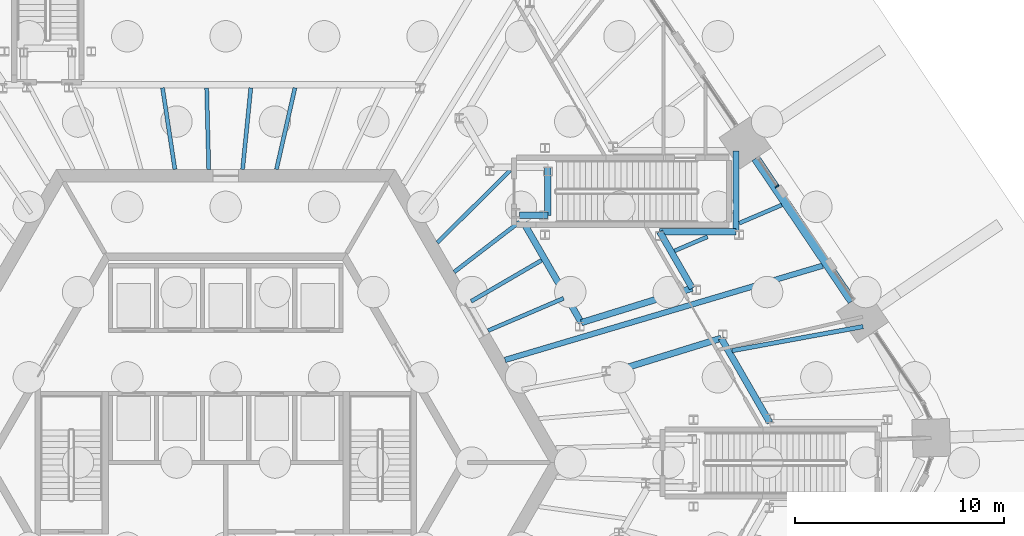
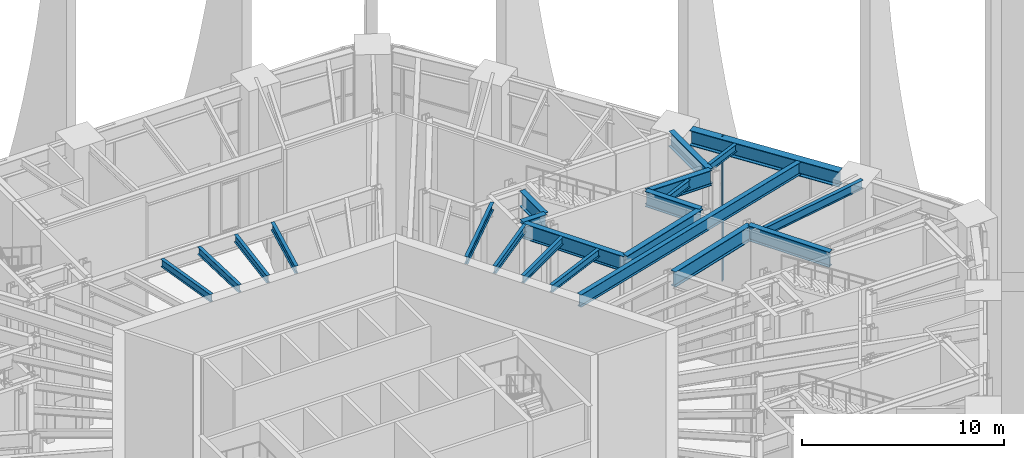
# One storey, part 12 of 43: 22 beams, 1 member, 1 element without a shape of its own.
"""IFC4 building model written with IfcOpenShell, lengths in metres."""

import ifcopenshell
import ifcopenshell.guid

model = None  # the IFC model being written
_history = None  # IfcOwnerHistory: only IFC2X3 demands one
_inside = {}  # id of a spatial element -> (the spatial element, [elements in it])
_under = {}  # id of a project, library or spatial element -> (it, [spatial elements below it])
_declared = {}  # id of a project -> (the project, [libraries it declares])
_typed = {}  # id of a type object -> (the type object, [elements of that type])
_made_of = {}  # id of a material, layer set ... -> (it, [elements and type objects made of it])


def new_model(schema):
    """Start an empty IFC model of exactly this schema.

    Asked for "IFC4X3", IfcOpenShell would pick the latest addendum, in which some entities
    have other attributes; the version numbers below select the first issue.
    IFC2X3 requires an IfcOwnerHistory on every rooted entity: one is made here for all.
    """
    global model, _history
    if schema == "IFC4X3":
        model = ifcopenshell.file(schema_version=(4, 3, 0, 0))
    else:
        model = ifcopenshell.file(schema=schema)
    _inside.clear()
    _under.clear()
    _declared.clear()
    _typed.clear()
    _made_of.clear()
    _history = None
    if model.schema == "IFC2X3":
        org = make("IfcOrganization", Name="unknown")
        user = make(
            "IfcPersonAndOrganization",
            ThePerson=make("IfcPerson", FamilyName="unknown"),
            TheOrganization=org,
        )
        app = make(
            "IfcApplication",
            ApplicationDeveloper=org,
            Version="unknown",
            ApplicationFullName="unknown",
            ApplicationIdentifier="unknown",
        )
        _history = make(
            "IfcOwnerHistory",
            OwningUser=user,
            OwningApplication=app,
            ChangeAction="ADDED",
            CreationDate=0,
        )
    return model


def make(cls, **values):
    """One entity of the class cls with the attributes given. An attribute that is None is left unset."""
    return model.create_entity(
        cls, **{name: value for name, value in values.items() if value is not None}
    )


def rooted(cls, **values):
    """An entity with a GlobalId (a new one), such as an element, a storey or a relation."""
    return make(cls, GlobalId=ifcopenshell.guid.new(), OwnerHistory=_history, **values)


def si_unit(unit_type, name, prefix=None):
    """IfcSIUnit, for example si_unit("LENGTHUNIT", "METRE", prefix="MILLI")."""
    return make("IfcSIUnit", UnitType=unit_type, Prefix=prefix, Name=name)


def assignment(units):
    """IfcUnitAssignment: the units of a project."""
    return None if units is None else make("IfcUnitAssignment", Units=units)


def point(xyz):
    """IfcCartesianPoint."""
    return None if xyz is None else make("IfcCartesianPoint", Coordinates=xyz)


def direction(xyz):
    """IfcDirection."""
    return None if xyz is None else make("IfcDirection", DirectionRatios=xyz)


def frame(location, z_axis=None, x_axis=None):
    """IfcAxis2Placement3D, a coordinate frame: its origin and axes. An axis left out is left unset."""
    return make(
        "IfcAxis2Placement3D",
        Location=point(location),
        Axis=direction(z_axis),
        RefDirection=direction(x_axis),
    )


def frame_2d(location, x_axis=None):
    """IfcAxis2Placement2D, a coordinate frame in the plane: its origin and x axis."""
    return make(
        "IfcAxis2Placement2D", Location=point(location), RefDirection=direction(x_axis)
    )


def origin():
    """The frame at (0, 0, 0) with its axes left unset."""
    return frame((0.0, 0.0, 0.0))


def origin_2d():
    """The frame at (0, 0) in the plane with its x axis left unset."""
    return frame_2d((0.0, 0.0))


def place(relative_to, where):
    """IfcLocalPlacement: puts the frame where relative to a parent placement (None: the world)."""
    return make(
        "IfcLocalPlacement", PlacementRelTo=relative_to, RelativePlacement=where
    )


def context(
    kind, dimensions, precision=None, world=None, true_north=None, identifier=None
):
    """IfcGeometricRepresentationContext, for example the 3D "Model" context."""
    return make(
        "IfcGeometricRepresentationContext",
        ContextIdentifier=identifier,
        ContextType=kind,
        CoordinateSpaceDimension=dimensions,
        Precision=precision,
        WorldCoordinateSystem=world,
        TrueNorth=true_north,
    )


def subcontext(parent, identifier, kind, view, scale=None):
    """IfcGeometricRepresentationSubContext, for example "Body" below "Model"."""
    return make(
        "IfcGeometricRepresentationSubContext",
        ContextIdentifier=identifier,
        ContextType=kind,
        ParentContext=parent,
        TargetScale=scale,
        TargetView=view,
    )


def project(units=None, contexts=None):
    """IfcProject with its units and contexts."""
    return rooted(
        "IfcProject",
        Name="project",
        RepresentationContexts=contexts,
        UnitsInContext=assignment(units),
    )


def spatial(cls, under=None, at=None, **own):
    """A site, building, storey or space (cls), placed at a placement, below another one or the project."""
    s = rooted(cls, ObjectPlacement=at, **own)
    if under is not None:
        _under.setdefault(under.id(), (under, []))[1].append(s)
    return s


def profile(cls, at=None, kind="AREA", **sizes):
    """A parametric profile (cls). Its sizes go by their IFC names, for example OverallWidth=200.0."""
    return make(cls, ProfileType=kind, Position=at, **sizes)


def rectangle(**sizes):
    """IfcRectangleProfileDef."""
    return profile("IfcRectangleProfileDef", **sizes)


def i_section(**sizes):
    """IfcIShapeProfileDef."""
    return profile("IfcIShapeProfileDef", **sizes)


def extrude(swept, where, along, depth):
    """IfcExtrudedAreaSolid: the profile swept, set in the frame where, extruded along a direction by depth."""
    return make(
        "IfcExtrudedAreaSolid",
        SweptArea=swept,
        Position=where,
        ExtrudedDirection=direction(along),
        Depth=depth,
    )


def shape(context_of_items, identifier, shape_type, items):
    """IfcShapeRepresentation: the items that make up one representation, for example the "Body"."""
    return make(
        "IfcShapeRepresentation",
        ContextOfItems=context_of_items,
        RepresentationIdentifier=identifier,
        RepresentationType=shape_type,
        Items=items,
    )


def material(Name=None, Category=None):
    """IfcMaterial."""
    return make("IfcMaterial", Name=Name, Category=Category)


def material_profile(
    of_material, cross_section, Name=None, Category=None, Priority=None
):
    """IfcMaterialProfile: a cross section and its material."""
    return make(
        "IfcMaterialProfile",
        Name=Name,
        Material=of_material,
        Profile=cross_section,
        Priority=Priority,
        Category=Category,
    )


def profile_set(profiles, Name=None, composite=None):
    """IfcMaterialProfileSet."""
    return make(
        "IfcMaterialProfileSet",
        Name=Name,
        MaterialProfiles=profiles,
        CompositeProfile=composite,
    )


def made_of(thing, what):
    """Note that an element or type object is made of a material, layer set ...; save() writes the relation."""
    if what is not None:
        _made_of.setdefault(what.id(), (what, []))[1].append(thing)
    return thing


def type_object(cls, material=None, **own):
    """A type object (cls), such as IfcWallType, which elements share."""
    return made_of(rooted(cls, **own), material)


def element(
    cls,
    number,
    at=None,
    inside=None,
    cuts=None,
    type_object=None,
    material=None,
    context=None,
    identifier="Body",
    shape_type=None,
    held_by="IfcProductDefinitionShape",
    body=None,
    shapes=None,
    **own,
):
    """One element of the class cls, such as IfcWall. Its Tag is "e" and its number.

    at: its placement. inside: the storey or other place that contains it. cuts: it is an
    opening in that element (IfcRelVoidsElement). A single representation is given by context,
    identifier, shape_type and body (its items); several are given by shapes. held_by: the class
    of the entity that holds the representations. save() writes the other relations.
    """
    e = rooted(cls, Tag="e%d" % number, ObjectPlacement=at, **own)
    if body is not None:
        shapes = [shape(context, identifier, shape_type, body)]
    if shapes is not None:
        e.Representation = make(held_by, Representations=shapes)
    if inside is not None:
        _inside.setdefault(inside.id(), (inside, []))[1].append(e)
    if cuts is not None:
        rooted(
            "IfcRelVoidsElement", RelatingBuildingElement=cuts, RelatedOpeningElement=e
        )
    if type_object is not None:
        _typed.setdefault(type_object.id(), (type_object, []))[1].append(e)
    return made_of(e, material)


def aggregate(whole, parts):
    """IfcRelAggregates: a whole, such as a stair, and the parts it consists of."""
    return rooted("IfcRelAggregates", RelatingObject=whole, RelatedObjects=parts)


def save(model, path):
    """Write the relations noted so far, then the file.

    IfcRelAggregates (storeys below a building ...), IfcRelContainedInSpatialStructure (elements
    in a storey), IfcRelDefinesByType, IfcRelAssociatesMaterial and IfcRelDeclares: one each for
    every whole, place, type object, material and project.
    """
    for whole, parts in _under.values():
        aggregate(whole, parts)
    for where, things in _inside.values():
        rooted(
            "IfcRelContainedInSpatialStructure",
            RelatedElements=things,
            RelatingStructure=where,
        )
    for kind, things in _typed.values():
        rooted("IfcRelDefinesByType", RelatedObjects=things, RelatingType=kind)
    for what, things in _made_of.values():
        rooted("IfcRelAssociatesMaterial", RelatedObjects=things, RelatingMaterial=what)
    for by, libraries in _declared.values():
        rooted("IfcRelDeclares", RelatingContext=by, RelatedDefinitions=libraries)
    model.write(path)


model = new_model("IFC4")

# Units and contexts
model_context = context("Model", 3, precision=1e-05, world=origin(), true_north=direction((0.0, 1.0)))
body_context = subcontext(model_context, "Body", "Model", "MODEL_VIEW")
ifc_project = project(units=[si_unit("LENGTHUNIT", "METRE"), si_unit("AREAUNIT", "SQUARE_METRE"), si_unit("VOLUMEUNIT", "CUBIC_METRE"), si_unit("PLANEANGLEUNIT", "RADIAN"), si_unit("MASSUNIT", "GRAM", prefix="KILO")], contexts=[model_context])

# Site, building, storey
site_placement = place(None, origin())
site = spatial("IfcSite", under=ifc_project, at=site_placement, CompositionType="ELEMENT")
building_placement = place(site_placement, origin())
building = spatial("IfcBuilding", under=site, at=building_placement, Name="Tarnside Tower", CompositionType="ELEMENT")
storey_placement = place(building_placement, origin())
storey = spatial("IfcBuildingStorey", under=building, at=storey_placement, Name="L00", CompositionType="ELEMENT", Elevation=0.0)

# Beams
ifc_material_1 = material(Name="Steel S355", Category="steel")
ifc_material_profile_1 = material_profile(ifc_material_1, i_section(OverallWidth=0.18994140625, OverallDepth=0.453369140625, WebThickness=0.008544921875, FlangeThickness=0.0126953125, FilletRadius=0.01025390625, at=origin_2d()), Name="UB 457x191x67")
ifc_profile_set_1 = profile_set([ifc_material_profile_1], Name="Steel S355")
beam_type_1 = type_object("IfcBeamType", Name="Floor beam UB 457x191x67", PredefinedType="BEAM", material=ifc_profile_set_1)
beam_1_placement = place(storey_placement, frame((3.30712890625, 17.892333984375, 8.523193359375), z_axis=(-0.221073770113, -0.975257088243, 0.0), x_axis=(0.975257088243, -0.221073770113, 0.0)))
element("IfcBeam", 1, at=beam_1_placement, inside=storey, type_object=beam_type_1, Name="Floor beam F1.03b", PredefinedType="BEAM", context=body_context, shape_type="SweptSolid", body=[
    extrude(i_section(OverallWidth=0.18994140625, OverallDepth=0.453369140625, WebThickness=0.008544921875, FlangeThickness=0.0126953125, FilletRadius=0.01025390625, at=origin_2d()), origin(), (0.0, 0.0, 1.0), 3.990966796875),
])
beam_2_placement = place(storey_placement, frame((1.199462890625, 17.892333984375, 8.523193359375), z_axis=(-0.099979500376, -0.994989497183, 0.0), x_axis=(0.994989497183, -0.099979500376, 0.0)))
element("IfcBeam", 2, at=beam_2_placement, inside=storey, type_object=beam_type_1, Name="Floor beam F1.04b", PredefinedType="BEAM", context=body_context, shape_type="SweptSolid", body=[
    extrude(i_section(OverallWidth=0.18994140625, OverallDepth=0.453369140625, WebThickness=0.008544921875, FlangeThickness=0.0126953125, FilletRadius=0.01025390625, at=origin_2d()), origin(), (0.0, 0.0, 1.0), 3.911865234375),
])
beam_3_placement = place(storey_placement, frame((-0.907958984375, 17.892333984375, 8.523193359375), z_axis=(0.025582792722, -0.999672706798, 0.0), x_axis=(0.999672706798, 0.025582792722, 0.0)))
element("IfcBeam", 3, at=beam_3_placement, inside=storey, type_object=beam_type_1, Name="Floor beam F1.05b", PredefinedType="BEAM", context=body_context, shape_type="SweptSolid", body=[
    extrude(i_section(OverallWidth=0.18994140625, OverallDepth=0.453369140625, WebThickness=0.008544921875, FlangeThickness=0.0126953125, FilletRadius=0.01025390625, at=origin_2d()), origin(), (0.0, 0.0, 1.0), 3.8935546875),
])
beam_4_placement = place(storey_placement, frame((-3.015380859375, 17.892333984375, 8.523193359375), z_axis=(0.15001112359, -0.988684308968, 0.0), x_axis=(0.988684308968, 0.15001112359, 0.0)))
element("IfcBeam", 4, at=beam_4_placement, inside=storey, type_object=beam_type_1, Name="Floor beam F1.06b", PredefinedType="BEAM", context=body_context, shape_type="SweptSolid", body=[
    extrude(i_section(OverallWidth=0.18994140625, OverallDepth=0.453369140625, WebThickness=0.008544921875, FlangeThickness=0.0126953125, FilletRadius=0.01025390625, at=origin_2d()), origin(), (0.0, 0.0, 1.0), 3.936767578125),
])
beam_5_placement = place(storey_placement, frame((26.551513671875, 12.298828125, 8.523193359375), z_axis=(-0.919441609872, -0.393226558153, 0.0), x_axis=(0.393226558153, -0.919441609872, 0.0)))
element("IfcBeam", 5, at=beam_5_placement, inside=storey, type_object=beam_type_1, Name="Floor beam F6.04a", PredefinedType="BEAM", context=body_context, shape_type="SweptSolid", body=[
    extrude(i_section(OverallWidth=0.18994140625, OverallDepth=0.453369140625, WebThickness=0.008544921875, FlangeThickness=0.0126953125, FilletRadius=0.01025390625, at=origin_2d()), origin(), (0.0, 0.0, 1.0), 2.212158203125),
])
beam_6_placement = place(storey_placement, frame((23.002685546875, 10.78076171875, 8.523193359375), z_axis=(-0.919402446138, -0.393318118113, 0.0), x_axis=(0.393318118113, -0.919402446138, 0.0)))
element("IfcBeam", 6, at=beam_6_placement, inside=storey, type_object=beam_type_1, Name="Floor beam F6.04b", PredefinedType="BEAM", context=body_context, shape_type="SweptSolid", body=[
    extrude(i_section(OverallWidth=0.18994140625, OverallDepth=0.453369140625, WebThickness=0.008544921875, FlangeThickness=0.0126953125, FilletRadius=0.01025390625, at=origin_2d()), origin(), (0.0, 0.0, 1.0), 1.715576171875),
])
beam_7_placement = place(storey_placement, frame((16.1328125, 7.841796875, 8.523193359375), z_axis=(-0.919415401897, -0.393287831943, 0.0), x_axis=(0.393287831943, -0.919415401897, 0.0)))
element("IfcBeam", 7, at=beam_7_placement, inside=storey, type_object=beam_type_1, Name="Floor beam F6.04c", PredefinedType="BEAM", context=body_context, shape_type="SweptSolid", body=[
    extrude(i_section(OverallWidth=0.18994140625, OverallDepth=0.453369140625, WebThickness=0.008544921875, FlangeThickness=0.0126953125, FilletRadius=0.01025390625, at=origin_2d()), origin(), (0.0, 0.0, 1.0), 3.920166015625),
])
beam_8_placement = place(storey_placement, frame((15.083984375, 9.658447265625, 8.523193359375), z_axis=(-0.86419264376, -0.503161082032, 0.0), x_axis=(0.503161082032, -0.86419264376, 0.0)))
element("IfcBeam", 8, at=beam_8_placement, inside=storey, type_object=beam_type_1, Name="Floor beam F6.05", PredefinedType="BEAM", context=body_context, shape_type="SweptSolid", body=[
    extrude(i_section(OverallWidth=0.18994140625, OverallDepth=0.453369140625, WebThickness=0.008544921875, FlangeThickness=0.0126953125, FilletRadius=0.01025390625, at=origin_2d()), origin(), (0.0, 0.0, 1.0), 3.892333984375),
])
beam_9_placement = place(storey_placement, frame((14.02734375, 11.48828125, 8.523193359375), z_axis=(-0.793649402853, -0.608375398378, 0.0), x_axis=(0.608375398378, -0.793649402853, 0.0)))
element("IfcBeam", 9, at=beam_9_placement, inside=storey, type_object=beam_type_1, Name="Floor beam F6.06b", PredefinedType="BEAM", context=body_context, shape_type="SweptSolid", body=[
    extrude(i_section(OverallWidth=0.18994140625, OverallDepth=0.453369140625, WebThickness=0.008544921875, FlangeThickness=0.0126953125, FilletRadius=0.01025390625, at=origin_2d()), origin(), (0.0, 0.0, 1.0), 3.925537109375),
])
beam_10_placement = place(storey_placement, frame((13.578125, 13.9423828125, 8.523193359375), z_axis=(-0.710393511829, -0.703804701854, 0.0), x_axis=(0.703804701854, -0.710393511829, 0.0)))
element("IfcBeam", 10, at=beam_10_placement, inside=storey, type_object=beam_type_1, Name="Floor beam F6.07b", PredefinedType="BEAM", context=body_context, shape_type="SweptSolid", body=[
    extrude(i_section(OverallWidth=0.18994140625, OverallDepth=0.453369140625, WebThickness=0.008544921875, FlangeThickness=0.0126953125, FilletRadius=0.01025390625, at=origin_2d()), origin(), (0.0, 0.0, 1.0), 4.89111328125),
])
ifc_material_profile_2 = material_profile(ifc_material_1, i_section(OverallWidth=0.209228515625, OverallDepth=0.533203125, WebThickness=0.010009765625, FlangeThickness=0.015625, FilletRadius=0.0126953125, at=origin_2d()), Name="UB 533x210x92")
ifc_profile_set_2 = profile_set([ifc_material_profile_2], Name="Steel S355")
beam_type_2 = type_object("IfcBeamType", Name="Floor beam UB 533x210x92", PredefinedType="BEAM", material=ifc_profile_set_2)
beam_11_placement = place(storey_placement, frame((30.42919921875, 6.493408203125, 8.4833984375), z_axis=(-0.983515410714, -0.180824326039, 0.0), x_axis=(0.180824326039, -0.983515410714, 0.0)))
element("IfcBeam", 11, at=beam_11_placement, inside=storey, type_object=beam_type_2, Name="Floor beam F6.02a", PredefinedType="BEAM", context=body_context, shape_type="SweptSolid", body=[
    extrude(i_section(OverallWidth=0.209228515625, OverallDepth=0.533203125, WebThickness=0.010009765625, FlangeThickness=0.015625, FilletRadius=0.0126953125, at=origin_2d()), origin(), (0.0, 0.0, 1.0), 6.359130859375),
])
ifc_material_profile_3 = material_profile(ifc_material_1, i_section(OverallWidth=0.26513671875, OverallDepth=0.75390625, WebThickness=0.0126953125, FlangeThickness=0.017578125, FilletRadius=0.0166015625, at=origin_2d()), Name="UB 762x267x147")
ifc_profile_set_3 = profile_set([ifc_material_profile_3], Name="Steel S355")
beam_type_3 = type_object("IfcBeamType", Name="Floor beam UB 762x267x147", PredefinedType="BEAM", material=ifc_profile_set_3)
beam_12_placement = place(storey_placement, frame((28.507080078125, 9.39990234375, 8.373046875), z_axis=(-0.958709656164, -0.284386700073, 0.0), x_axis=(0.284386700073, -0.958709656164, 0.0)))
element("IfcBeam", 12, at=beam_12_placement, inside=storey, type_object=beam_type_3, Name="Floor beam F6.03", PredefinedType="BEAM", context=body_context, shape_type="SweptSolid", body=[
    extrude(i_section(OverallWidth=0.26513671875, OverallDepth=0.75390625, WebThickness=0.0126953125, FlangeThickness=0.017578125, FilletRadius=0.0166015625, at=origin_2d()), origin(), (0.0, 0.0, 1.0), 15.823486328125),
])

# Curtain wall, member
ifc_material_2 = material(Name="Lobby entrance glazing wall", Category="glass")
curtain_wall_type = type_object("IfcCurtainWallType", Name="Lobby entrance glazing wall", PredefinedType="NOTDEFINED", material=ifc_material_2)
curtain_wall_placement = place(storey_placement, origin())
curtain_wall = element("IfcCurtainWall", 13, at=curtain_wall_placement, inside=storey, type_object=curtain_wall_type, Name="Side light 20b", PredefinedType="NOTDEFINED")
ifc_material_3 = material(Name="Aluminium alloy 6063", Category="aluminium")
ifc_material_profile_4 = material_profile(ifc_material_3, rectangle(XDim=0.179931640625, YDim=0.070068359375, at=origin_2d()), Name="Lobby entrance glazing mullion 70 x 180")
ifc_profile_set_4 = profile_set([ifc_material_profile_4], Name="Aluminium alloy 6063")
member_type = type_object("IfcMemberType", Name="Lobby entrance glazing mullion 70 x 180", PredefinedType="MULLION", material=ifc_profile_set_4)
member_placement = place(storey_placement, frame((26.326171875, 13.18798828125, 0.0), z_axis=(0.0, 0.0, 1.0), x_axis=(-0.829037572594, -0.559192903413, 0.0)))
member = element("IfcMember", 14, at=member_placement, type_object=member_type, Name="CW3 mullion 1", PredefinedType="MULLION", context=body_context, shape_type="SweptSolid", body=[
    extrude(rectangle(XDim=0.179931640625, YDim=0.070068359375, at=origin_2d()), origin(), (0.0, 0.0, 1.0), 8.75),
])
aggregate(curtain_wall, [member])

# Beams
ifc_material_profile_5 = material_profile(ifc_material_1, i_section(OverallWidth=0.3076171875, OverallDepth=0.926513671875, WebThickness=0.01953125, FlangeThickness=0.031982421875, FilletRadius=0.01904296875, at=origin_2d()), Name="UB 914x305x289")
ifc_profile_set_5 = profile_set([ifc_material_profile_5], Name="Steel S355")
beam_type_4 = type_object("IfcBeamType", Name="Perimeter girder UB 914x305x289", PredefinedType="BEAM", material=ifc_profile_set_5)
beam_13_placement = place(storey_placement, frame((18.360107421875, 4.29150390625, 8.28662109375), z_axis=(0.955027594741, 0.296516935912, 0.0), x_axis=(-0.296516935912, 0.955027594741, 0.0)))
element("IfcBeam", 15, at=beam_13_placement, inside=storey, type_object=beam_type_4, Name="Perimeter girder T3", PredefinedType="BEAM", context=body_context, shape_type="SweptSolid", body=[
    extrude(i_section(OverallWidth=0.3076171875, OverallDepth=0.926513671875, WebThickness=0.01953125, FlangeThickness=0.031982421875, FilletRadius=0.01904296875, at=origin_2d()), origin(), (0.0, 0.0, 1.0), 5.54443359375),
])
beam_14_placement = place(storey_placement, frame((23.6552734375, 5.935546875, 8.28662109375), z_axis=(0.499985748238, -0.866033631887, 0.0), x_axis=(0.866033631887, 0.499985748238, 0.0)))
element("IfcBeam", 16, at=beam_14_placement, inside=storey, type_object=beam_type_4, Name="Perimeter girder T4", PredefinedType="BEAM", context=body_context, shape_type="SweptSolid", body=[
    extrude(i_section(OverallWidth=0.3076171875, OverallDepth=0.926513671875, WebThickness=0.01953125, FlangeThickness=0.031982421875, FilletRadius=0.01904296875, at=origin_2d()), origin(), (0.0, 0.0, 1.0), 4.655517578125),
])
beam_15_placement = place(storey_placement, frame((24.36376953125, 14.87890625, 8.28662109375), z_axis=(0.0, -1.0, 0.0), x_axis=(1.0, 0.0, 0.0)))
element("IfcBeam", 17, at=beam_15_placement, inside=storey, type_object=beam_type_4, Name="Perimeter girder T28", PredefinedType="BEAM", context=body_context, shape_type="SweptSolid", body=[
    extrude(i_section(OverallWidth=0.3076171875, OverallDepth=0.926513671875, WebThickness=0.01953125, FlangeThickness=0.031982421875, FilletRadius=0.01904296875, at=origin_2d()), origin(), (0.0, 0.0, 1.0), 3.857666015625),
])
beam_16_placement = place(storey_placement, frame((24.36376953125, 11.021240234375, 8.28662109375), z_axis=(-1.0, 0.0, 0.0), x_axis=(0.0, -1.0, 0.0)))
element("IfcBeam", 18, at=beam_16_placement, inside=storey, type_object=beam_type_4, Name="Perimeter girder T29", PredefinedType="BEAM", context=body_context, shape_type="SweptSolid", body=[
    extrude(i_section(OverallWidth=0.3076171875, OverallDepth=0.926513671875, WebThickness=0.01953125, FlangeThickness=0.031982421875, FilletRadius=0.01904296875, at=origin_2d()), origin(), (0.0, 0.0, 1.0), 3.644775390625),
])
beam_17_placement = place(storey_placement, frame((20.718994140625, 11.021240234375, 8.28662109375), z_axis=(0.500037089193, -0.86600398927, 0.0), x_axis=(0.86600398927, 0.500037089193, 0.0)))
element("IfcBeam", 19, at=beam_17_placement, inside=storey, type_object=beam_type_4, Name="Perimeter girder T30", PredefinedType="BEAM", context=body_context, shape_type="SweptSolid", body=[
    extrude(i_section(OverallWidth=0.3076171875, OverallDepth=0.926513671875, WebThickness=0.01953125, FlangeThickness=0.031982421875, FilletRadius=0.01904296875, at=origin_2d()), origin(), (0.0, 0.0, 1.0), 3.112060546875),
])
beam_18_placement = place(storey_placement, frame((22.275146484375, 8.326171875, 8.28662109375), z_axis=(-0.955015124767, -0.296557096469, 0.0), x_axis=(0.296557096469, -0.955015124767, 0.0)))
element("IfcBeam", 20, at=beam_18_placement, inside=storey, type_object=beam_type_4, Name="Perimeter girder T31", PredefinedType="BEAM", context=body_context, shape_type="SweptSolid", body=[
    extrude(i_section(OverallWidth=0.3076171875, OverallDepth=0.926513671875, WebThickness=0.01953125, FlangeThickness=0.031982421875, FilletRadius=0.01904296875, at=origin_2d()), origin(), (0.0, 0.0, 1.0), 5.544677734375),
])
beam_19_placement = place(storey_placement, frame((16.97998046875, 6.681884765625, 8.28662109375), z_axis=(-0.499992838882, 0.866029538218, 0.0), x_axis=(-0.866029538218, -0.499992838882, 0.0)))
element("IfcBeam", 21, at=beam_19_placement, inside=storey, type_object=beam_type_4, Name="Perimeter girder T32", PredefinedType="BEAM", context=body_context, shape_type="SweptSolid", body=[
    extrude(i_section(OverallWidth=0.3076171875, OverallDepth=0.926513671875, WebThickness=0.01953125, FlangeThickness=0.031982421875, FilletRadius=0.01904296875, at=origin_2d()), origin(), (0.0, 0.0, 1.0), 5.9140625),
])
beam_20_placement = place(storey_placement, frame((14.02294921875, 11.8037109375, 8.28662109375), z_axis=(1.0, 0.0, 0.0), x_axis=(0.0, 1.0, 0.0)))
element("IfcBeam", 22, at=beam_20_placement, inside=storey, type_object=beam_type_4, Name="Perimeter girder T33", PredefinedType="BEAM", context=body_context, shape_type="SweptSolid", body=[
    extrude(i_section(OverallWidth=0.3076171875, OverallDepth=0.926513671875, WebThickness=0.01953125, FlangeThickness=0.031982421875, FilletRadius=0.01904296875, at=origin_2d()), origin(), (0.0, 0.0, 1.0), 1.36328125),
])
beam_21_placement = place(storey_placement, frame((15.38623046875, 11.8037109375, 8.28662109375), z_axis=(0.0, 1.0, 0.0), x_axis=(-1.0, 0.0, 0.0)))
element("IfcBeam", 23, at=beam_21_placement, inside=storey, type_object=beam_type_4, Name="Perimeter girder T34", PredefinedType="BEAM", context=body_context, shape_type="SweptSolid", body=[
    extrude(i_section(OverallWidth=0.3076171875, OverallDepth=0.926513671875, WebThickness=0.01953125, FlangeThickness=0.031982421875, FilletRadius=0.01904296875, at=origin_2d()), origin(), (0.0, 0.0, 1.0), 2.29248046875),
])
ifc_material_4 = material(Name="Steel S460", Category="steel")
ifc_material_profile_6 = material_profile(ifc_material_4, i_section(OverallWidth=0.42041015625, OverallDepth=0.9208984375, WebThickness=0.021484375, FlangeThickness=0.03662109375, FilletRadius=0.024169921875, at=origin_2d()), Name="UB 914x419x388")
ifc_profile_set_6 = profile_set([ifc_material_profile_6], Name="Steel S460")
beam_type_5 = type_object("IfcBeamType", Name="Perimeter girder UB 914x419x388", PredefinedType="BEAM", material=ifc_profile_set_6)
beam_22_placement = place(storey_placement, frame((29.904052734375, 7.70458984375, 8.28955078125), z_axis=(-0.559186275376, 0.829042043223, 0.0), x_axis=(-0.829042043223, -0.559186275376, 0.0)))
element("IfcBeam", 24, at=beam_22_placement, inside=storey, type_object=beam_type_5, Name="Perimeter girder M21", PredefinedType="BEAM", context=body_context, shape_type="SweptSolid", body=[
    extrude(i_section(OverallWidth=0.42041015625, OverallDepth=0.9208984375, WebThickness=0.021484375, FlangeThickness=0.03662109375, FilletRadius=0.024169921875, at=origin_2d()), origin(), (0.0, 0.0, 1.0), 8.223876953125),
])

save(model, "model.ifc")
